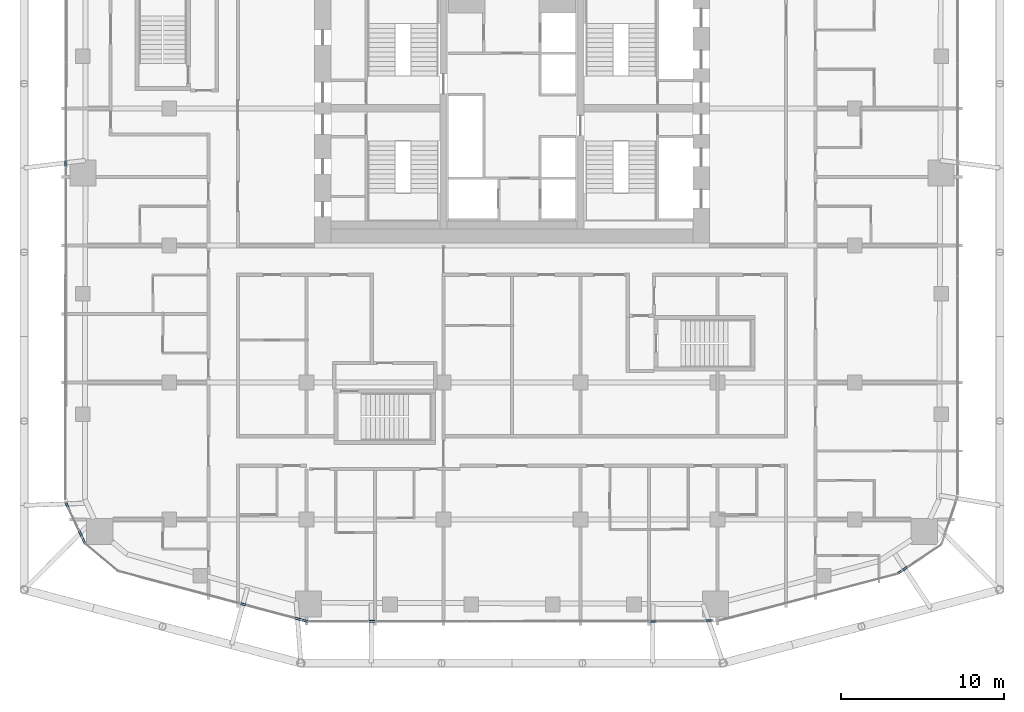
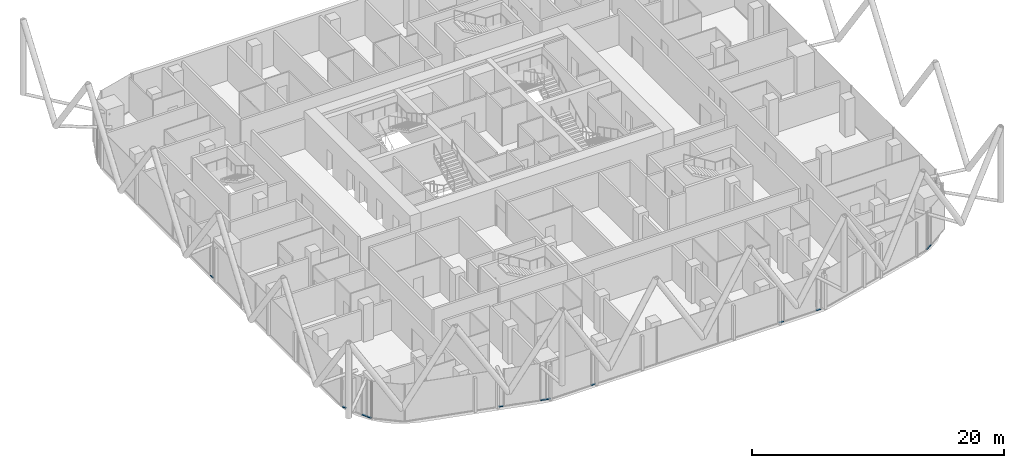
# One storey, part 15 of 36: 12 members, 12 elements without a shape of their own.
"""IFC4 building model written with IfcOpenShell, lengths in metres."""

import ifcopenshell
import ifcopenshell.guid

model = None  # the IFC model being written
_history = None  # IfcOwnerHistory: only IFC2X3 demands one
_inside = {}  # id of a spatial element -> (the spatial element, [elements in it])
_under = {}  # id of a project, library or spatial element -> (it, [spatial elements below it])
_declared = {}  # id of a project -> (the project, [libraries it declares])
_typed = {}  # id of a type object -> (the type object, [elements of that type])
_made_of = {}  # id of a material, layer set ... -> (it, [elements and type objects made of it])


def new_model(schema):
    """Start an empty IFC model of exactly this schema.

    Asked for "IFC4X3", IfcOpenShell would pick the latest addendum, in which some entities
    have other attributes; the version numbers below select the first issue.
    IFC2X3 requires an IfcOwnerHistory on every rooted entity: one is made here for all.
    """
    global model, _history
    if schema == "IFC4X3":
        model = ifcopenshell.file(schema_version=(4, 3, 0, 0))
    else:
        model = ifcopenshell.file(schema=schema)
    _inside.clear()
    _under.clear()
    _declared.clear()
    _typed.clear()
    _made_of.clear()
    _history = None
    if model.schema == "IFC2X3":
        org = make("IfcOrganization", Name="unknown")
        user = make(
            "IfcPersonAndOrganization",
            ThePerson=make("IfcPerson", FamilyName="unknown"),
            TheOrganization=org,
        )
        app = make(
            "IfcApplication",
            ApplicationDeveloper=org,
            Version="unknown",
            ApplicationFullName="unknown",
            ApplicationIdentifier="unknown",
        )
        _history = make(
            "IfcOwnerHistory",
            OwningUser=user,
            OwningApplication=app,
            ChangeAction="ADDED",
            CreationDate=0,
        )
    return model


def make(cls, **values):
    """One entity of the class cls with the attributes given. An attribute that is None is left unset."""
    return model.create_entity(
        cls, **{name: value for name, value in values.items() if value is not None}
    )


def rooted(cls, **values):
    """An entity with a GlobalId (a new one), such as an element, a storey or a relation."""
    return make(cls, GlobalId=ifcopenshell.guid.new(), OwnerHistory=_history, **values)


def si_unit(unit_type, name, prefix=None):
    """IfcSIUnit, for example si_unit("LENGTHUNIT", "METRE", prefix="MILLI")."""
    return make("IfcSIUnit", UnitType=unit_type, Prefix=prefix, Name=name)


def assignment(units):
    """IfcUnitAssignment: the units of a project."""
    return None if units is None else make("IfcUnitAssignment", Units=units)


def point(xyz):
    """IfcCartesianPoint."""
    return None if xyz is None else make("IfcCartesianPoint", Coordinates=xyz)


def direction(xyz):
    """IfcDirection."""
    return None if xyz is None else make("IfcDirection", DirectionRatios=xyz)


def frame(location, z_axis=None, x_axis=None):
    """IfcAxis2Placement3D, a coordinate frame: its origin and axes. An axis left out is left unset."""
    return make(
        "IfcAxis2Placement3D",
        Location=point(location),
        Axis=direction(z_axis),
        RefDirection=direction(x_axis),
    )


def frame_2d(location, x_axis=None):
    """IfcAxis2Placement2D, a coordinate frame in the plane: its origin and x axis."""
    return make(
        "IfcAxis2Placement2D", Location=point(location), RefDirection=direction(x_axis)
    )


def origin():
    """The frame at (0, 0, 0) with its axes left unset."""
    return frame((0.0, 0.0, 0.0))


def origin_2d():
    """The frame at (0, 0) in the plane with its x axis left unset."""
    return frame_2d((0.0, 0.0))


def place(relative_to, where):
    """IfcLocalPlacement: puts the frame where relative to a parent placement (None: the world)."""
    return make(
        "IfcLocalPlacement", PlacementRelTo=relative_to, RelativePlacement=where
    )


def context(
    kind, dimensions, precision=None, world=None, true_north=None, identifier=None
):
    """IfcGeometricRepresentationContext, for example the 3D "Model" context."""
    return make(
        "IfcGeometricRepresentationContext",
        ContextIdentifier=identifier,
        ContextType=kind,
        CoordinateSpaceDimension=dimensions,
        Precision=precision,
        WorldCoordinateSystem=world,
        TrueNorth=true_north,
    )


def subcontext(parent, identifier, kind, view, scale=None):
    """IfcGeometricRepresentationSubContext, for example "Body" below "Model"."""
    return make(
        "IfcGeometricRepresentationSubContext",
        ContextIdentifier=identifier,
        ContextType=kind,
        ParentContext=parent,
        TargetScale=scale,
        TargetView=view,
    )


def project(units=None, contexts=None):
    """IfcProject with its units and contexts."""
    return rooted(
        "IfcProject",
        Name="project",
        RepresentationContexts=contexts,
        UnitsInContext=assignment(units),
    )


def spatial(cls, under=None, at=None, **own):
    """A site, building, storey or space (cls), placed at a placement, below another one or the project."""
    s = rooted(cls, ObjectPlacement=at, **own)
    if under is not None:
        _under.setdefault(under.id(), (under, []))[1].append(s)
    return s


def profile(cls, at=None, kind="AREA", **sizes):
    """A parametric profile (cls). Its sizes go by their IFC names, for example OverallWidth=200.0."""
    return make(cls, ProfileType=kind, Position=at, **sizes)


def rectangle(**sizes):
    """IfcRectangleProfileDef."""
    return profile("IfcRectangleProfileDef", **sizes)


def extrude(swept, where, along, depth):
    """IfcExtrudedAreaSolid: the profile swept, set in the frame where, extruded along a direction by depth."""
    return make(
        "IfcExtrudedAreaSolid",
        SweptArea=swept,
        Position=where,
        ExtrudedDirection=direction(along),
        Depth=depth,
    )


def shape(context_of_items, identifier, shape_type, items):
    """IfcShapeRepresentation: the items that make up one representation, for example the "Body"."""
    return make(
        "IfcShapeRepresentation",
        ContextOfItems=context_of_items,
        RepresentationIdentifier=identifier,
        RepresentationType=shape_type,
        Items=items,
    )


def material(Name=None, Category=None):
    """IfcMaterial."""
    return make("IfcMaterial", Name=Name, Category=Category)


def layer(
    of_material, thickness, ventilated=None, Name=None, Category=None, Priority=None
):
    """IfcMaterialLayer: one layer of a wall or slab, of a material (None: an air gap)."""
    return make(
        "IfcMaterialLayer",
        Material=of_material,
        LayerThickness=thickness,
        IsVentilated=ventilated,
        Name=Name,
        Category=Category,
        Priority=Priority,
    )


def layer_set(layers, Name=None):
    """IfcMaterialLayerSet."""
    return make("IfcMaterialLayerSet", MaterialLayers=layers, LayerSetName=Name)


def material_profile(
    of_material, cross_section, Name=None, Category=None, Priority=None
):
    """IfcMaterialProfile: a cross section and its material."""
    return make(
        "IfcMaterialProfile",
        Name=Name,
        Material=of_material,
        Profile=cross_section,
        Priority=Priority,
        Category=Category,
    )


def profile_set(profiles, Name=None, composite=None):
    """IfcMaterialProfileSet."""
    return make(
        "IfcMaterialProfileSet",
        Name=Name,
        MaterialProfiles=profiles,
        CompositeProfile=composite,
    )


def made_of(thing, what):
    """Note that an element or type object is made of a material, layer set ...; save() writes the relation."""
    if what is not None:
        _made_of.setdefault(what.id(), (what, []))[1].append(thing)
    return thing


def type_object(cls, material=None, **own):
    """A type object (cls), such as IfcWallType, which elements share."""
    return made_of(rooted(cls, **own), material)


def element(
    cls,
    number,
    at=None,
    inside=None,
    cuts=None,
    type_object=None,
    material=None,
    context=None,
    identifier="Body",
    shape_type=None,
    held_by="IfcProductDefinitionShape",
    body=None,
    shapes=None,
    **own,
):
    """One element of the class cls, such as IfcWall. Its Tag is "e" and its number.

    at: its placement. inside: the storey or other place that contains it. cuts: it is an
    opening in that element (IfcRelVoidsElement). A single representation is given by context,
    identifier, shape_type and body (its items); several are given by shapes. held_by: the class
    of the entity that holds the representations. save() writes the other relations.
    """
    e = rooted(cls, Tag="e%d" % number, ObjectPlacement=at, **own)
    if body is not None:
        shapes = [shape(context, identifier, shape_type, body)]
    if shapes is not None:
        e.Representation = make(held_by, Representations=shapes)
    if inside is not None:
        _inside.setdefault(inside.id(), (inside, []))[1].append(e)
    if cuts is not None:
        rooted(
            "IfcRelVoidsElement", RelatingBuildingElement=cuts, RelatedOpeningElement=e
        )
    if type_object is not None:
        _typed.setdefault(type_object.id(), (type_object, []))[1].append(e)
    return made_of(e, material)


def aggregate(whole, parts):
    """IfcRelAggregates: a whole, such as a stair, and the parts it consists of."""
    return rooted("IfcRelAggregates", RelatingObject=whole, RelatedObjects=parts)


def save(model, path):
    """Write the relations noted so far, then the file.

    IfcRelAggregates (storeys below a building ...), IfcRelContainedInSpatialStructure (elements
    in a storey), IfcRelDefinesByType, IfcRelAssociatesMaterial and IfcRelDeclares: one each for
    every whole, place, type object, material and project.
    """
    for whole, parts in _under.values():
        aggregate(whole, parts)
    for where, things in _inside.values():
        rooted(
            "IfcRelContainedInSpatialStructure",
            RelatedElements=things,
            RelatingStructure=where,
        )
    for kind, things in _typed.values():
        rooted("IfcRelDefinesByType", RelatedObjects=things, RelatingType=kind)
    for what, things in _made_of.values():
        rooted("IfcRelAssociatesMaterial", RelatedObjects=things, RelatingMaterial=what)
    for by, libraries in _declared.values():
        rooted("IfcRelDeclares", RelatingContext=by, RelatedDefinitions=libraries)
    model.write(path)


model = new_model("IFC4")

# Units and contexts
model_context = context("Model", 3, precision=1e-05, world=origin(), true_north=direction((0.0, 1.0)))
body_context = subcontext(model_context, "Body", "Model", "MODEL_VIEW")
ifc_project = project(units=[si_unit("LENGTHUNIT", "METRE"), si_unit("AREAUNIT", "SQUARE_METRE"), si_unit("VOLUMEUNIT", "CUBIC_METRE"), si_unit("PLANEANGLEUNIT", "RADIAN"), si_unit("MASSUNIT", "GRAM", prefix="KILO")], contexts=[model_context])

# Site, building, storey
site_placement = place(None, origin())
site = spatial("IfcSite", under=ifc_project, at=site_placement, CompositionType="ELEMENT")
building_placement = place(site_placement, origin())
building = spatial("IfcBuilding", under=site, at=building_placement, Name="Marenta Gate Hotel Tower", CompositionType="ELEMENT")
storey_placement = place(building_placement, frame((0.0, 0.0, 115.699951171875)))
storey = spatial("IfcBuildingStorey", under=building, at=storey_placement, Name="L25", CompositionType="ELEMENT", Elevation=115.699951171875)

# Curtain wall, member
ifc_material_1 = material(Name="Tinted insulated glass in bronze anodised frame", Category="glass")
ifc_layer = layer(ifc_material_1, 0.1201171875)
ifc_layer_set = layer_set([ifc_layer], Name="Tinted insulated glass in bronze anodised frame")
curtain_wall_type = type_object("IfcCurtainWallType", Name="Tower unitised curtain wall CW1", PredefinedType="NOTDEFINED", material=ifc_layer_set)
curtain_wall_1_placement = place(storey_placement, origin())
curtain_wall_1 = element("IfcCurtainWall", 1, at=curtain_wall_1_placement, inside=storey, type_object=curtain_wall_type, Name="CW1 run G07", PredefinedType="NOTDEFINED")
ifc_material_2 = material(Name="Bronze anodised aluminium", Category="aluminium")
ifc_material_profile = material_profile(ifc_material_2, rectangle(XDim=0.1201171875, YDim=0.06005859375, at=origin_2d()), Name="Transom CW1 60x120 bronze anodised aluminium")
ifc_profile_set = profile_set([ifc_material_profile], Name="Bronze anodised aluminium")
member_type = type_object("IfcMemberType", Name="Transom CW1 60x120 bronze anodised aluminium", PredefinedType="USERDEFINED", material=ifc_profile_set)
member_1_placement = place(storey_placement, frame((-27.34033203125, 5.23193359375, 0.030029296875), z_axis=(-0.00123152616, -0.999999241671, 0.0), x_axis=(0.999999241671, -0.00123152616, 0.0)))
member_1 = element("IfcMember", 2, at=member_1_placement, type_object=member_type, Name="CW1 transom 1.1", ObjectType="TRANSOM", PredefinedType="USERDEFINED", context=body_context, shape_type="SweptSolid", body=[
    extrude(rectangle(XDim=0.1201171875, YDim=0.06005859375, at=origin_2d()), origin(), (0.0, 0.0, 1.0), 0.396484375),
])
aggregate(curtain_wall_1, [member_1])

curtain_wall_2_placement = place(storey_placement, origin())
curtain_wall_2 = element("IfcCurtainWall", 3, at=curtain_wall_2_placement, inside=storey, type_object=curtain_wall_type, Name="CW1 run G09", PredefinedType="NOTDEFINED")
member_2_placement = place(storey_placement, frame((-27.34765625, -15.748046875, 0.030029296875), z_axis=(0.423272916218, -0.906002228693, 0.0), x_axis=(0.906002228693, 0.423272916218, 0.0)))
member_2 = element("IfcMember", 4, at=member_2_placement, type_object=member_type, Name="CW1 transom 1.1", ObjectType="TRANSOM", PredefinedType="USERDEFINED", context=body_context, shape_type="SweptSolid", body=[
    extrude(rectangle(XDim=0.1201171875, YDim=0.06005859375, at=origin_2d()), origin(), (0.0, 0.0, 1.0), 0.344970703125),
])
aggregate(curtain_wall_2, [member_2])

curtain_wall_3_placement = place(storey_placement, origin())
curtain_wall_3 = element("IfcCurtainWall", 5, at=curtain_wall_3_placement, inside=storey, type_object=curtain_wall_type, Name="CW1 run G11", PredefinedType="NOTDEFINED")
member_3_placement = place(storey_placement, frame((-26.544189453125, -17.4677734375, 0.030029296875), z_axis=(0.423960267339, -0.905680789085, 0.0), x_axis=(0.905680789085, 0.423960267339, 0.0)))
member_3 = element("IfcMember", 6, at=member_3_placement, type_object=member_type, Name="CW1 transom 1.1", ObjectType="TRANSOM", PredefinedType="USERDEFINED", context=body_context, shape_type="SweptSolid", body=[
    extrude(rectangle(XDim=0.1201171875, YDim=0.06005859375, at=origin_2d()), origin(), (0.0, 0.0, 1.0), 0.422607421875),
])
aggregate(curtain_wall_3, [member_3])

curtain_wall_4_placement = place(storey_placement, origin())
curtain_wall_4 = element("IfcCurtainWall", 7, at=curtain_wall_4_placement, inside=storey, type_object=curtain_wall_type, Name="CW1 run G12", PredefinedType="NOTDEFINED")
member_4_placement = place(storey_placement, frame((-26.339599609375, -17.905029296875, 0.030029296875), z_axis=(0.42295417161, -0.906151073893, 0.0), x_axis=(0.906151073893, 0.42295417161, 0.0)))
member_4 = element("IfcMember", 8, at=member_4_placement, type_object=member_type, Name="CW1 transom 1.1", ObjectType="TRANSOM", PredefinedType="USERDEFINED", context=body_context, shape_type="SweptSolid", body=[
    extrude(rectangle(XDim=0.1201171875, YDim=0.06005859375, at=origin_2d()), origin(), (0.0, 0.0, 1.0), 0.38916015625),
])
aggregate(curtain_wall_4, [member_4])

curtain_wall_5_placement = place(storey_placement, origin())
curtain_wall_5 = element("IfcCurtainWall", 9, at=curtain_wall_5_placement, inside=storey, type_object=curtain_wall_type, Name="CW1 run G15", PredefinedType="NOTDEFINED")
member_5_placement = place(storey_placement, frame((-16.650390625, -21.94482421875, 0.030029296875), z_axis=(0.966379102199, -0.257121432076, 0.0), x_axis=(0.257121432076, 0.966379102199, 0.0)))
member_5 = element("IfcMember", 10, at=member_5_placement, type_object=member_type, Name="CW1 transom 1.1", ObjectType="TRANSOM", PredefinedType="USERDEFINED", context=body_context, shape_type="SweptSolid", body=[
    extrude(rectangle(XDim=0.1201171875, YDim=0.06005859375, at=origin_2d()), origin(), (0.0, 0.0, 1.0), 0.39306640625),
])
aggregate(curtain_wall_5, [member_5])

curtain_wall_6_placement = place(storey_placement, origin())
curtain_wall_6 = element("IfcCurtainWall", 11, at=curtain_wall_6_placement, inside=storey, type_object=curtain_wall_type, Name="CW1 run G17", PredefinedType="NOTDEFINED")
member_6_placement = place(storey_placement, frame((-13.3193359375, -22.8310546875, 0.030029296875), z_axis=(0.966369996674, -0.257155652336, 0.0), x_axis=(0.257155652336, 0.966369996674, 0.0)))
member_6 = element("IfcMember", 12, at=member_6_placement, type_object=member_type, Name="CW1 transom 1.1", ObjectType="TRANSOM", PredefinedType="USERDEFINED", context=body_context, shape_type="SweptSolid", body=[
    extrude(rectangle(XDim=0.1201171875, YDim=0.06005859375, at=origin_2d()), origin(), (0.0, 0.0, 1.0), 0.419677734375),
])
aggregate(curtain_wall_6, [member_6])

curtain_wall_7_placement = place(storey_placement, origin())
curtain_wall_7 = element("IfcCurtainWall", 13, at=curtain_wall_7_placement, inside=storey, type_object=curtain_wall_type, Name="CW1 run G18", PredefinedType="NOTDEFINED")
member_7_placement = place(storey_placement, frame((-12.855712890625, -22.954345703125, 0.030029296875), z_axis=(0.96625731902, -0.257578713095, 0.0), x_axis=(0.257578713095, 0.96625731902, 0.0)))
member_7 = element("IfcMember", 14, at=member_7_placement, type_object=member_type, Name="CW1 transom 1.1", ObjectType="TRANSOM", PredefinedType="USERDEFINED", context=body_context, shape_type="SweptSolid", body=[
    extrude(rectangle(XDim=0.1201171875, YDim=0.06005859375, at=origin_2d()), origin(), (0.0, 0.0, 1.0), 0.362060546875),
])
aggregate(curtain_wall_7, [member_7])

curtain_wall_8_placement = place(storey_placement, origin())
curtain_wall_8 = element("IfcCurtainWall", 15, at=curtain_wall_8_placement, inside=storey, type_object=curtain_wall_type, Name="CW1 run G20", PredefinedType="NOTDEFINED")
member_8_placement = place(storey_placement, frame((-8.7841796875, -23.04248046875, 0.030029296875), z_axis=(0.999999227466, 0.001243007119, 0.0), x_axis=(-0.001243007119, 0.999999227466, 0.0)))
member_8 = element("IfcMember", 16, at=member_8_placement, type_object=member_type, Name="CW1 transom 1.1", ObjectType="TRANSOM", PredefinedType="USERDEFINED", context=body_context, shape_type="SweptSolid", body=[
    extrude(rectangle(XDim=0.1201171875, YDim=0.06005859375, at=origin_2d()), origin(), (0.0, 0.0, 1.0), 0.392822265625),
])
aggregate(curtain_wall_8, [member_8])

curtain_wall_9_placement = place(storey_placement, origin())
curtain_wall_9 = element("IfcCurtainWall", 17, at=curtain_wall_9_placement, inside=storey, type_object=curtain_wall_type, Name="CW1 run G22", PredefinedType="NOTDEFINED")
member_9_placement = place(storey_placement, frame((8.4677734375, -23.018798828125, 0.030029296875), z_axis=(0.999999228426, 0.001242235066, 0.0), x_axis=(-0.001242235066, 0.999999228426, 0.0)))
member_9 = element("IfcMember", 18, at=member_9_placement, type_object=member_type, Name="CW1 transom 1.1", ObjectType="TRANSOM", PredefinedType="USERDEFINED", context=body_context, shape_type="SweptSolid", body=[
    extrude(rectangle(XDim=0.1201171875, YDim=0.06005859375, at=origin_2d()), origin(), (0.0, 0.0, 1.0), 0.39306640625),
])
aggregate(curtain_wall_9, [member_9])

curtain_wall_10_placement = place(storey_placement, origin())
curtain_wall_10 = element("IfcCurtainWall", 19, at=curtain_wall_10_placement, inside=storey, type_object=curtain_wall_type, Name="CW1 run G24", PredefinedType="NOTDEFINED")
member_10_placement = place(storey_placement, frame((11.881591796875, -23.01416015625, 0.030029296875), z_axis=(0.999999071937, 0.001362396556, 0.0), x_axis=(-0.001362396556, 0.999999071937, 0.0)))
member_10 = element("IfcMember", 20, at=member_10_placement, type_object=member_type, Name="CW1 transom 1.1", ObjectType="TRANSOM", PredefinedType="USERDEFINED", context=body_context, shape_type="SweptSolid", body=[
    extrude(rectangle(XDim=0.1201171875, YDim=0.06005859375, at=origin_2d()), origin(), (0.0, 0.0, 1.0), 0.3583984375),
])
aggregate(curtain_wall_10, [member_10])

curtain_wall_11_placement = place(storey_placement, origin())
curtain_wall_11 = element("IfcCurtainWall", 21, at=curtain_wall_11_placement, inside=storey, type_object=curtain_wall_type, Name="CW1 run G26", PredefinedType="NOTDEFINED")
member_11_placement = place(storey_placement, frame((23.657470703125, -20.096435546875, 0.030029296875), z_axis=(0.832603197014, 0.553869945314, 0.0), x_axis=(-0.553869945314, 0.832603197014, 0.0)))
member_11 = element("IfcMember", 22, at=member_11_placement, type_object=member_type, Name="CW1 transom 1.1", ObjectType="TRANSOM", PredefinedType="USERDEFINED", context=body_context, shape_type="SweptSolid", body=[
    extrude(rectangle(XDim=0.1201171875, YDim=0.06005859375, at=origin_2d()), origin(), (0.0, 0.0, 1.0), 0.271484375),
])
aggregate(curtain_wall_11, [member_11])

curtain_wall_12_placement = place(storey_placement, origin())
curtain_wall_12 = element("IfcCurtainWall", 23, at=curtain_wall_12_placement, inside=storey, type_object=curtain_wall_type, Name="CW1 run G27", PredefinedType="NOTDEFINED")
member_12_placement = place(storey_placement, frame((23.93359375, -19.912841796875, 0.030029296875), z_axis=(0.832432384861, 0.55412663231, 0.0), x_axis=(-0.55412663231, 0.832432384861, 0.0)))
member_12 = element("IfcMember", 24, at=member_12_placement, type_object=member_type, Name="CW1 transom 1.1", ObjectType="TRANSOM", PredefinedType="USERDEFINED", context=body_context, shape_type="SweptSolid", body=[
    extrude(rectangle(XDim=0.1201171875, YDim=0.06005859375, at=origin_2d()), origin(), (0.0, 0.0, 1.0), 0.39306640625),
])
aggregate(curtain_wall_12, [member_12])

save(model, "model.ifc")
